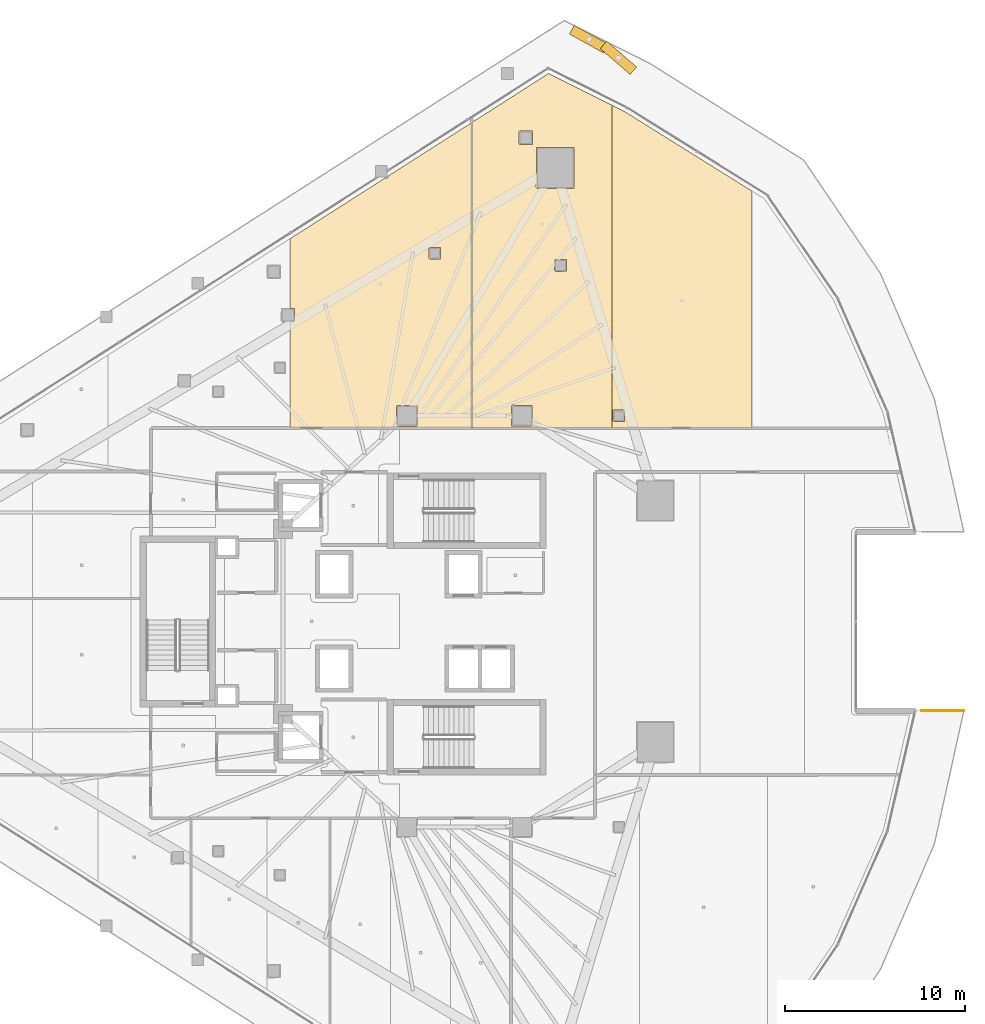
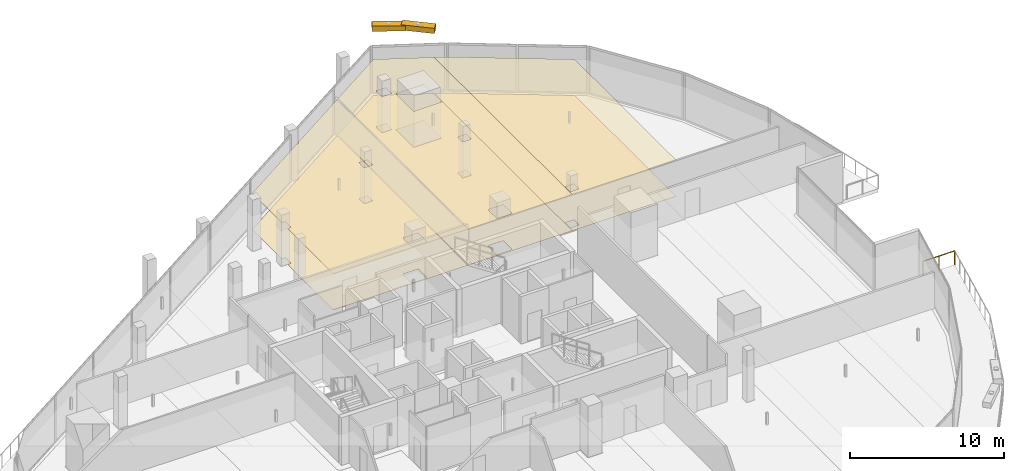
# One storey, part 42 of 42: 6 coverings, 2 shading devices, 1 railing.
"""IFC4 building model written with IfcOpenShell, lengths in metres."""

from ifc_helpers import new_model, si_unit, direction, frame, origin, origin_2d, place, context, subcontext, project, spatial, polyline, rectangle, circle, outline, extrude, material, layer, layer_set, type_object, element, save


model = new_model("IFC4")

# Units and contexts
model_context = context("Model", 3, precision=1e-05, world=origin(), true_north=direction((0.0, 1.0)))
body_context = subcontext(model_context, "Body", "Model", "MODEL_VIEW")
ifc_project = project(units=[si_unit("LENGTHUNIT", "METRE"), si_unit("AREAUNIT", "SQUARE_METRE"), si_unit("VOLUMEUNIT", "CUBIC_METRE"), si_unit("PLANEANGLEUNIT", "RADIAN"), si_unit("MASSUNIT", "GRAM", prefix="KILO")], contexts=[model_context])

# Site, building, storey
site_placement = place(None, origin())
site = spatial("IfcSite", under=ifc_project, at=site_placement, CompositionType="ELEMENT")
building_placement = place(site_placement, origin())
building = spatial("IfcBuilding", under=site, at=building_placement, Name="Qorvath Tower", CompositionType="ELEMENT")
storey_placement = place(building_placement, frame((0.0, 0.0, 117.89990234375)))
storey = spatial("IfcBuildingStorey", under=building, at=storey_placement, Name="L26", CompositionType="ELEMENT", Elevation=117.89990234375)

# Coverings
ifc_material_1 = material(Name="Acoustic mineral fibre ceiling tile", Category="gypsum")
ifc_layer_1 = layer(ifc_material_1, 0.030029296875)
ifc_layer_set_1 = layer_set([ifc_layer_1], Name="COV-CEIL")
covering_type_1 = type_object("IfcCoveringType", Name="COV-CEIL", PredefinedType="CEILING", material=ifc_layer_set_1)
covering_1_placement = place(storey_placement, frame((0.0, 0.0, 2.85009765625)))
element("IfcCovering", 1, at=covering_1_placement, inside=storey, type_object=covering_type_1, Name="L26 Suspended Acoustic Ceiling 013", PredefinedType="CEILING", context=body_context, shape_type="SweptSolid", body=[
    extrude(outline(polyline([(-19.99755859375, 10.762939453125), (-19.99755859375, 27.763671875), (-24.652587890625, 24.78857421875), (-24.670166015625, 24.69140625), (-24.83203125, 24.673828125), (-30.1201171875, 21.294189453125), (-30.1201171875, 17.427001953125), (-29.857421875, 17.427001953125), (-29.857421875, 16.692138671875), (-30.1201171875, 16.685546875), (-30.1201171875, 10.762939453125), (-19.99755859375, 10.762939453125)]), holes=[polyline([(-22.38818359375, 20.219970703125), (-22.37060546875, 20.812255859375), (-21.73583984375, 20.812255859375), (-21.73583984375, 20.177490234375), (-22.328125, 20.159912109375), (-22.38818359375, 20.219970703125)]), polyline([(-24.18505859375, 10.925048828125), (-24.16748046875, 12.017333984375), (-23.032470703125, 12.017333984375), (-23.032470703125, 10.882568359375), (-24.125, 10.864990234375), (-24.18505859375, 10.925048828125)])]), origin(), (0.0, 0.0, 1.0), 0.030029296875),
])
covering_2_placement = place(storey_placement, frame((0.0, 0.0, 2.85009765625)))
element("IfcCovering", 2, at=covering_2_placement, inside=storey, type_object=covering_type_1, Name="L26 Suspended Acoustic Ceiling 014", PredefinedType="CEILING", context=body_context, shape_type="SweptSolid", body=[
    extrude(outline(polyline([(-12.185791015625, 10.762939453125), (-12.185791015625, 28.728759765625), (-15.721435546875, 30.49658203125), (-19.979736328125, 27.775146484375), (-19.979736328125, 10.762939453125), (-12.185791015625, 10.762939453125)]), holes=[polyline([(-16.404296875, 24.14599609375), (-16.38671875, 26.388427734375), (-14.3017578125, 26.388427734375), (-14.3017578125, 24.103759765625), (-16.34423828125, 24.086181640625), (-16.404296875, 24.14599609375)]), polyline([(-15.381103515625, 19.543212890625), (-15.363525390625, 20.135498046875), (-14.728759765625, 20.135498046875), (-14.728759765625, 19.500732421875), (-15.321044921875, 19.483154296875), (-15.381103515625, 19.543212890625)]), polyline([(-17.3662109375, 27.254150390625), (-17.30615234375, 27.314208984375), (-16.61376953125, 27.296630859375), (-16.61376953125, 26.561767578125), (-17.3486328125, 26.561767578125), (-17.3662109375, 27.254150390625)]), polyline([(-17.784912109375, 11.97509765625), (-17.72509765625, 12.034912109375), (-16.632568359375, 12.017333984375), (-16.632568359375, 10.882568359375), (-17.767333984375, 10.882568359375), (-17.784912109375, 11.97509765625)])]), origin(), (0.0, 0.0, 1.0), 0.030029296875),
])
covering_3_placement = place(storey_placement, frame((0.0, 0.0, 2.85009765625)))
element("IfcCovering", 3, at=covering_3_placement, inside=storey, type_object=covering_type_1, Name="L26 Suspended Acoustic Ceiling 015", PredefinedType="CEILING", context=body_context, shape_type="SweptSolid", body=[
    extrude(outline(polyline([(-4.391845703125, 10.762939453125), (-4.391845703125, 23.95361328125), (-11.463134765625, 28.367431640625), (-12.185791015625, 28.728759765625), (-12.185791015625, 10.762939453125), (-4.391845703125, 10.762939453125)]), holes=[polyline([(-12.135009765625, 11.175048828125), (-12.117431640625, 11.767333984375), (-11.482666015625, 11.767333984375), (-11.482666015625, 11.132568359375), (-12.074951171875, 11.114990234375), (-12.135009765625, 11.175048828125)])]), origin(), (0.0, 0.0, 1.0), 0.030029296875),
])
ifc_material_2 = material(Name="Low-VOC modular carpet tile", Category="textile")
ifc_layer_2 = layer(ifc_material_2, 0.014892578125)
ifc_layer_set_2 = layer_set([ifc_layer_2], Name="COV-FLOOR-CPT")
covering_type_2 = type_object("IfcCoveringType", Name="COV-FLOOR-CPT", PredefinedType="FLOORING", material=ifc_layer_set_2)
covering_4_placement = place(storey_placement, origin())
element("IfcCovering", 4, at=covering_4_placement, inside=storey, type_object=covering_type_2, Name="L26 Floor Finish 013", PredefinedType="FLOORING", context=body_context, shape_type="SweptSolid", body=[
    extrude(outline(polyline([(-19.99755859375, 10.762939453125), (-19.99755859375, 27.763671875), (-24.652587890625, 24.78857421875), (-24.670166015625, 24.69140625), (-24.83203125, 24.673828125), (-30.1201171875, 21.294189453125), (-30.1201171875, 17.427001953125), (-29.857421875, 17.427001953125), (-29.857421875, 16.692138671875), (-30.1201171875, 16.685546875), (-30.1201171875, 10.762939453125), (-19.99755859375, 10.762939453125)]), holes=[polyline([(-22.38818359375, 20.219970703125), (-22.37060546875, 20.812255859375), (-21.73583984375, 20.812255859375), (-21.73583984375, 20.177490234375), (-22.328125, 20.159912109375), (-22.38818359375, 20.219970703125)]), polyline([(-24.18505859375, 10.925048828125), (-24.16748046875, 12.017333984375), (-23.032470703125, 12.017333984375), (-23.032470703125, 10.882568359375), (-24.125, 10.864990234375), (-24.18505859375, 10.925048828125)])]), origin(), (0.0, 0.0, 1.0), 0.01513671875),
])
covering_5_placement = place(storey_placement, origin())
element("IfcCovering", 5, at=covering_5_placement, inside=storey, type_object=covering_type_2, Name="L26 Floor Finish 014", PredefinedType="FLOORING", context=body_context, shape_type="SweptSolid", body=[
    extrude(outline(polyline([(-12.185791015625, 10.762939453125), (-12.185791015625, 28.728759765625), (-15.721435546875, 30.49658203125), (-19.979736328125, 27.775146484375), (-19.979736328125, 10.762939453125), (-12.185791015625, 10.762939453125)]), holes=[polyline([(-16.404296875, 24.14599609375), (-16.38671875, 26.388427734375), (-14.3017578125, 26.388427734375), (-14.3017578125, 24.103759765625), (-16.34423828125, 24.086181640625), (-16.404296875, 24.14599609375)]), polyline([(-15.381103515625, 19.543212890625), (-15.363525390625, 20.135498046875), (-14.728759765625, 20.135498046875), (-14.728759765625, 19.500732421875), (-15.321044921875, 19.483154296875), (-15.381103515625, 19.543212890625)]), polyline([(-17.3662109375, 27.254150390625), (-17.30615234375, 27.314208984375), (-16.61376953125, 27.296630859375), (-16.61376953125, 26.561767578125), (-17.3486328125, 26.561767578125), (-17.3662109375, 27.254150390625)]), polyline([(-17.784912109375, 11.97509765625), (-17.72509765625, 12.034912109375), (-16.632568359375, 12.017333984375), (-16.632568359375, 10.882568359375), (-17.767333984375, 10.882568359375), (-17.784912109375, 11.97509765625)])]), origin(), (0.0, 0.0, 1.0), 0.01513671875),
])
covering_6_placement = place(storey_placement, origin())
element("IfcCovering", 6, at=covering_6_placement, inside=storey, type_object=covering_type_2, Name="L26 Floor Finish 015", PredefinedType="FLOORING", context=body_context, shape_type="SweptSolid", body=[
    extrude(outline(polyline([(-4.391845703125, 10.762939453125), (-4.391845703125, 23.95361328125), (-11.463134765625, 28.367431640625), (-12.185791015625, 28.728759765625), (-12.185791015625, 10.762939453125), (-4.391845703125, 10.762939453125)]), holes=[polyline([(-12.135009765625, 11.175048828125), (-12.117431640625, 11.767333984375), (-11.482666015625, 11.767333984375), (-11.482666015625, 11.132568359375), (-12.074951171875, 11.114990234375), (-12.135009765625, 11.175048828125)])]), origin(), (0.0, 0.0, 1.0), 0.01513671875),
])

# Railing
ifc_material_3 = material(Name="Laminated safety glass and stainless steel AISI 316", Category="steel")
railing_type = type_object("IfcRailingType", Name="RL-EXT-GRD", PredefinedType="GUARDRAIL", material=ifc_material_3)
railing_placement = place(storey_placement, frame((5.048583984375, -4.968017578125, 0.0)))
element("IfcRailing", 7, at=railing_placement, inside=storey, type_object=railing_type, Name="Loggia Perimeter Guardrail L26-1.2", PredefinedType="GUARDRAIL", context=body_context, shape_type="SweptSolid", body=[
    extrude(circle(Radius=0.02392578125, at=origin_2d()), frame((0.0, 0.0, 1.09619140625), z_axis=(1.0, 0.0, 0.0), x_axis=(0.0, 1.0, 0.0)), (0.0, 0.0, 1.0), 2.366455078125),
    extrude(circle(Radius=0.02099609375, at=origin_2d()), origin(), (0.0, 0.0, 1.0), 1.072021484375),
    extrude(circle(Radius=0.02099609375, at=origin_2d()), frame((1.18310546875, 0.0, 0.0)), (0.0, 0.0, 1.0), 1.072021484375),
    extrude(circle(Radius=0.02099609375, at=origin_2d()), frame((2.366455078125, 0.0, 0.0)), (0.0, 0.0, 1.0), 1.072021484375),
])

# Shading devices
ifc_material_4 = material(Name="Anodised bronze-champagne aluminium", Category="aluminium")
shading_device_type = type_object("IfcShadingDeviceType", Name="SD-LOUVRE", PredefinedType="JALOUSIE", material=ifc_material_4)
for number, where, z_axis, x_axis, name in (
    (8, (-11.827392578125, 31.37255859375, 3.35009765625), (0.0, 0.0, 1.0), (-0.757553591462, 0.652772974367, 0.0), "Sinusoidal Wave Louvre Blade L26-05"),
    (9, (-13.46142578125, 32.406005859375, 3.35009765625), (0.0, 0.0, 1.0), (-0.874929220455, 0.484250822605, 0.0), "Sinusoidal Wave Louvre Blade L26-06"),
):
    element("IfcShadingDevice", number, at=place(storey_placement, frame(where, z_axis=z_axis, x_axis=x_axis)), inside=storey, type_object=shading_device_type, Name=name, PredefinedType="NOTDEFINED", context=body_context, shape_type="SweptSolid", body=[
        extrude(rectangle(XDim=2.199951171875, YDim=0.550048828125, at=origin_2d()), origin(), (0.0, 0.0, 1.0), 0.419921875),
    ])

save(model, "model.ifc")
